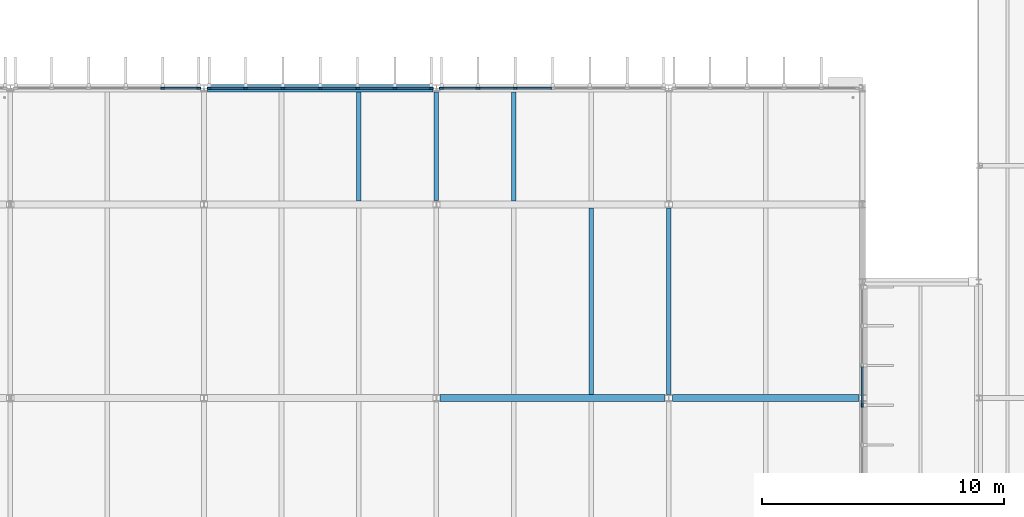
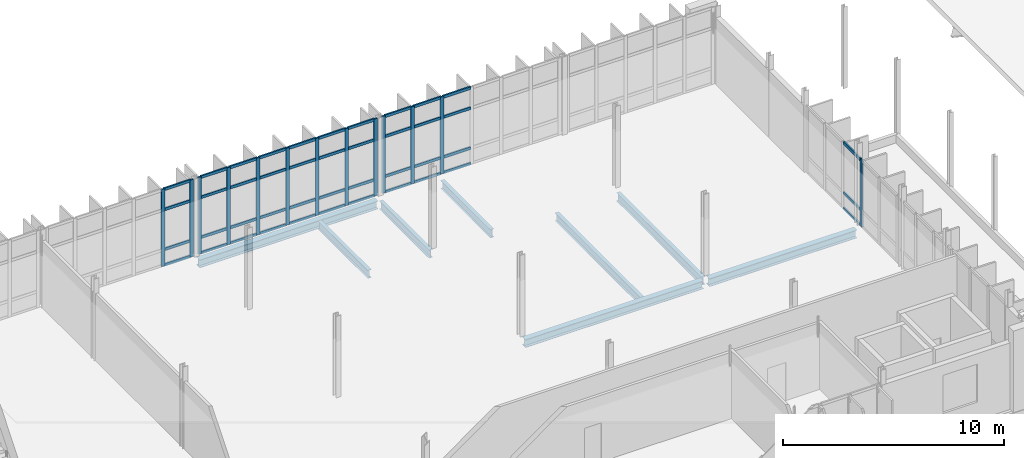
# One storey, part 32 of 93: 56 members, 8 beams, 4 elements without a shape of their own.
"""IFC4 building model written with IfcOpenShell, lengths in metres."""

from ifc_helpers import new_model, si_unit, direction, frame, origin, origin_2d, place, context, subcontext, project, spatial, rectangle, i_section, extrude, material, material_profile, profile_set, type_object, element, aggregate, save


model = new_model("IFC4")

# Units and contexts
model_context = context("Model", 3, precision=1e-05, world=origin(), true_north=direction((0.0, 1.0)))
body_context = subcontext(model_context, "Body", "Model", "MODEL_VIEW")
ifc_project = project(units=[si_unit("LENGTHUNIT", "METRE"), si_unit("AREAUNIT", "SQUARE_METRE"), si_unit("VOLUMEUNIT", "CUBIC_METRE"), si_unit("PLANEANGLEUNIT", "RADIAN"), si_unit("MASSUNIT", "GRAM", prefix="KILO")], contexts=[model_context])

# Site, building, storey
site_placement = place(None, origin())
site = spatial("IfcSite", under=ifc_project, at=site_placement, CompositionType="ELEMENT")
building_placement = place(site_placement, origin())
building = spatial("IfcBuilding", under=site, at=building_placement, Name="Dunescarp Central Library", CompositionType="ELEMENT")
storey_placement = place(building_placement, frame((0.0, 0.0, 14.10009765625)))
storey = spatial("IfcBuildingStorey", under=building, at=storey_placement, Name="L03", CompositionType="ELEMENT", Elevation=14.10009765625)

# Curtain wall, members
ifc_material_1 = material(Name="Marine-grade anodised aluminium 6063-T6", Category="aluminium")
curtain_wall_type = type_object("IfcCurtainWallType", Name="ARC-CW-STICK", PredefinedType="NOTDEFINED", material=ifc_material_1)
curtain_wall_1_placement = place(storey_placement, origin())
curtain_wall_1 = element("IfcCurtainWall", 1, at=curtain_wall_1_placement, inside=storey, type_object=curtain_wall_type, Name="L03 curtain wall CW-V3-103", PredefinedType="NOTDEFINED")
ifc_material_profile_1 = material_profile(ifc_material_1, rectangle(XDim=0.080078125, YDim=0.179931640625, at=origin_2d()), Name="AL 80x180")
ifc_profile_set_1 = profile_set([ifc_material_profile_1], Name="Marine-grade anodised aluminium 6063-T6")
member_type_1 = type_object("IfcMemberType", Name="ARC-CWM-180", PredefinedType="MULLION", material=ifc_profile_set_1)
member_1_placement = place(storey_placement, frame((95.89501953125, 33.60009765625, 0.0), z_axis=(0.0, 0.0, 1.0), x_axis=(0.0, 1.0, 0.0)))
member_1 = element("IfcMember", 2, at=member_1_placement, type_object=member_type_1, Name="CW-V3-103 mullion 5", PredefinedType="MULLION", context=body_context, shape_type="SweptSolid", body=[
    extrude(rectangle(XDim=0.080078125, YDim=0.179931640625, at=origin_2d()), origin(), (0.0, 0.0, 1.0), 4.25),
])
member_2_placement = place(storey_placement, frame((97.385009765625, 33.60009765625, 0.0), z_axis=(0.0, 0.0, 1.0), x_axis=(0.0, 1.0, 0.0)))
member_2 = element("IfcMember", 3, at=member_2_placement, type_object=member_type_1, Name="CW-V3-103 mullion 6", PredefinedType="MULLION", context=body_context, shape_type="SweptSolid", body=[
    extrude(rectangle(XDim=0.080078125, YDim=0.179931640625, at=origin_2d()), origin(), (0.0, 0.0, 1.0), 4.25),
])

curtain_wall_2_placement = place(storey_placement, origin())
curtain_wall_2 = element("IfcCurtainWall", 4, at=curtain_wall_2_placement, inside=storey, type_object=curtain_wall_type, Name="L03 curtain wall CW-V3-104", PredefinedType="NOTDEFINED")
member_3_placement = place(storey_placement, frame((97.81494140625, 33.60009765625, 0.0), z_axis=(0.0, 0.0, 1.0), x_axis=(0.0, 1.0, 0.0)))
member_3 = element("IfcMember", 5, at=member_3_placement, type_object=member_type_1, Name="CW-V3-104 mullion 1", PredefinedType="MULLION", context=body_context, shape_type="SweptSolid", body=[
    extrude(rectangle(XDim=0.080078125, YDim=0.179931640625, at=origin_2d()), origin(), (0.0, 0.0, 1.0), 4.25),
])
member_4_placement = place(storey_placement, frame((99.316650390625, 33.60009765625, 0.0), z_axis=(0.0, 0.0, 1.0), x_axis=(0.0, 1.0, 0.0)))
member_4 = element("IfcMember", 6, at=member_4_placement, type_object=member_type_1, Name="CW-V3-104 mullion 2", PredefinedType="MULLION", context=body_context, shape_type="SweptSolid", body=[
    extrude(rectangle(XDim=0.080078125, YDim=0.179931640625, at=origin_2d()), origin(), (0.0, 0.0, 1.0), 4.25),
])
member_5_placement = place(storey_placement, frame((100.8583984375, 33.60009765625, 0.0), z_axis=(0.0, 0.0, 1.0), x_axis=(0.0, 1.0, 0.0)))
member_5 = element("IfcMember", 7, at=member_5_placement, type_object=member_type_1, Name="CW-V3-104 mullion 3", PredefinedType="MULLION", context=body_context, shape_type="SweptSolid", body=[
    extrude(rectangle(XDim=0.080078125, YDim=0.179931640625, at=origin_2d()), origin(), (0.0, 0.0, 1.0), 4.25),
])
member_6_placement = place(storey_placement, frame((102.39990234375, 33.60009765625, 0.0), z_axis=(0.0, 0.0, 1.0), x_axis=(0.0, 1.0, 0.0)))
member_6 = element("IfcMember", 8, at=member_6_placement, type_object=member_type_1, Name="CW-V3-104 mullion 4", PredefinedType="MULLION", context=body_context, shape_type="SweptSolid", body=[
    extrude(rectangle(XDim=0.080078125, YDim=0.179931640625, at=origin_2d()), origin(), (0.0, 0.0, 1.0), 4.25),
])
member_7_placement = place(storey_placement, frame((103.941650390625, 33.60009765625, 0.0), z_axis=(0.0, 0.0, 1.0), x_axis=(0.0, 1.0, 0.0)))
member_7 = element("IfcMember", 9, at=member_7_placement, type_object=member_type_1, Name="CW-V3-104 mullion 5", PredefinedType="MULLION", context=body_context, shape_type="SweptSolid", body=[
    extrude(rectangle(XDim=0.080078125, YDim=0.179931640625, at=origin_2d()), origin(), (0.0, 0.0, 1.0), 4.25),
])
member_8_placement = place(storey_placement, frame((105.4833984375, 33.60009765625, 0.0), z_axis=(0.0, 0.0, 1.0), x_axis=(0.0, 1.0, 0.0)))
member_8 = element("IfcMember", 10, at=member_8_placement, type_object=member_type_1, Name="CW-V3-104 mullion 6", PredefinedType="MULLION", context=body_context, shape_type="SweptSolid", body=[
    extrude(rectangle(XDim=0.080078125, YDim=0.179931640625, at=origin_2d()), origin(), (0.0, 0.0, 1.0), 4.25),
])
member_9_placement = place(storey_placement, frame((106.985107421875, 33.60009765625, 0.0), z_axis=(0.0, 0.0, 1.0), x_axis=(0.0, 1.0, 0.0)))
member_9 = element("IfcMember", 11, at=member_9_placement, type_object=member_type_1, Name="CW-V3-104 mullion 7", PredefinedType="MULLION", context=body_context, shape_type="SweptSolid", body=[
    extrude(rectangle(XDim=0.080078125, YDim=0.179931640625, at=origin_2d()), origin(), (0.0, 0.0, 1.0), 4.25),
])

curtain_wall_3_placement = place(storey_placement, origin())
curtain_wall_3 = element("IfcCurtainWall", 12, at=curtain_wall_3_placement, inside=storey, type_object=curtain_wall_type, Name="L03 curtain wall CW-V3-105", PredefinedType="NOTDEFINED")
member_10_placement = place(storey_placement, frame((107.4150390625, 33.60009765625, 0.0), z_axis=(0.0, 0.0, 1.0), x_axis=(0.0, 1.0, 0.0)))
member_10 = element("IfcMember", 13, at=member_10_placement, type_object=member_type_1, Name="CW-V3-105 mullion 1", PredefinedType="MULLION", context=body_context, shape_type="SweptSolid", body=[
    extrude(rectangle(XDim=0.080078125, YDim=0.179931640625, at=origin_2d()), origin(), (0.0, 0.0, 1.0), 4.25),
])
member_11_placement = place(storey_placement, frame((108.916748046875, 33.60009765625, 0.0), z_axis=(0.0, 0.0, 1.0), x_axis=(0.0, 1.0, 0.0)))
member_11 = element("IfcMember", 14, at=member_11_placement, type_object=member_type_1, Name="CW-V3-105 mullion 2", PredefinedType="MULLION", context=body_context, shape_type="SweptSolid", body=[
    extrude(rectangle(XDim=0.080078125, YDim=0.179931640625, at=origin_2d()), origin(), (0.0, 0.0, 1.0), 4.25),
])
member_12_placement = place(storey_placement, frame((110.458251953125, 33.60009765625, 0.0), z_axis=(0.0, 0.0, 1.0), x_axis=(0.0, 1.0, 0.0)))
member_12 = element("IfcMember", 15, at=member_12_placement, type_object=member_type_1, Name="CW-V3-105 mullion 3", PredefinedType="MULLION", context=body_context, shape_type="SweptSolid", body=[
    extrude(rectangle(XDim=0.080078125, YDim=0.179931640625, at=origin_2d()), origin(), (0.0, 0.0, 1.0), 4.25),
])

# Curtain wall, member
curtain_wall_4_placement = place(storey_placement, origin())
curtain_wall_4 = element("IfcCurtainWall", 16, at=curtain_wall_4_placement, inside=storey, type_object=curtain_wall_type, Name="L03 curtain wall CW-V3-107", PredefinedType="NOTDEFINED")
member_13_placement = place(storey_placement, frame((124.800048828125, 20.502197265625, 0.0), z_axis=(0.0, 0.0, 1.0), x_axis=(1.0, 0.0, 0.0)))
member_13 = element("IfcMember", 17, at=member_13_placement, type_object=member_type_1, Name="CW-V3-107 mullion 4", PredefinedType="MULLION", context=body_context, shape_type="SweptSolid", body=[
    extrude(rectangle(XDim=0.080078125, YDim=0.179931640625, at=origin_2d()), origin(), (0.0, 0.0, 1.0), 3.685791015625),
])

# Member
ifc_material_profile_2 = material_profile(ifc_material_1, rectangle(XDim=0.080078125, YDim=0.14990234375, at=origin_2d()), Name="AL 80x150")
ifc_profile_set_2 = profile_set([ifc_material_profile_2], Name="Marine-grade anodised aluminium 6063-T6")
member_type_2 = type_object("IfcMemberType", Name="ARC-CWT-150", PredefinedType="USERDEFINED", material=ifc_profile_set_2)
member_14_placement = place(storey_placement, frame((95.93505859375, 33.60009765625, 0.039794921875), z_axis=(1.0, 0.0, 0.0), x_axis=(0.0, 1.0, 0.0)))
member_14 = element("IfcMember", 18, at=member_14_placement, type_object=member_type_2, Name="CW-V3-103 transom 5.1", ObjectType="TRANSOM", PredefinedType="USERDEFINED", context=body_context, shape_type="SweptSolid", body=[
    extrude(rectangle(XDim=0.080078125, YDim=0.14990234375, at=origin_2d()), origin(), (0.0, 0.0, 1.0), 1.409912109375),
])

member_15_placement = place(storey_placement, frame((95.93505859375, 33.60009765625, 0.89990234375), z_axis=(1.0, 0.0, 0.0), x_axis=(0.0, 1.0, 0.0)))
member_15 = element("IfcMember", 19, at=member_15_placement, type_object=member_type_2, Name="CW-V3-103 transom 5.2", ObjectType="TRANSOM", PredefinedType="USERDEFINED", context=body_context, shape_type="SweptSolid", body=[
    extrude(rectangle(XDim=0.080078125, YDim=0.14990234375, at=origin_2d()), origin(), (0.0, 0.0, 1.0), 1.409912109375),
])

member_16_placement = place(storey_placement, frame((95.93505859375, 33.60009765625, 3.099853515625), z_axis=(1.0, 0.0, 0.0), x_axis=(0.0, 1.0, 0.0)))
member_16 = element("IfcMember", 20, at=member_16_placement, type_object=member_type_2, Name="CW-V3-103 transom 5.3", ObjectType="TRANSOM", PredefinedType="USERDEFINED", context=body_context, shape_type="SweptSolid", body=[
    extrude(rectangle(XDim=0.080078125, YDim=0.14990234375, at=origin_2d()), origin(), (0.0, 0.0, 1.0), 1.409912109375),
])

member_17_placement = place(storey_placement, frame((95.93505859375, 33.60009765625, 4.2099609375), z_axis=(1.0, 0.0, 0.0), x_axis=(0.0, 1.0, 0.0)))
member_17 = element("IfcMember", 21, at=member_17_placement, type_object=member_type_2, Name="CW-V3-103 transom 5.4", ObjectType="TRANSOM", PredefinedType="USERDEFINED", context=body_context, shape_type="SweptSolid", body=[
    extrude(rectangle(XDim=0.080078125, YDim=0.14990234375, at=origin_2d()), origin(), (0.0, 0.0, 1.0), 1.409912109375),
])

aggregate(curtain_wall_1, [member_1, member_2, member_14, member_15, member_16, member_17])

member_18_placement = place(storey_placement, frame((97.85498046875, 33.60009765625, 0.039794921875), z_axis=(1.0, 0.0, 0.0), x_axis=(0.0, 1.0, 0.0)))
member_18 = element("IfcMember", 22, at=member_18_placement, type_object=member_type_2, Name="CW-V3-104 transom 1.1", ObjectType="TRANSOM", PredefinedType="USERDEFINED", context=body_context, shape_type="SweptSolid", body=[
    extrude(rectangle(XDim=0.080078125, YDim=0.14990234375, at=origin_2d()), origin(), (0.0, 0.0, 1.0), 1.421630859375),
])

member_19_placement = place(storey_placement, frame((97.85498046875, 33.60009765625, 0.89990234375), z_axis=(1.0, 0.0, 0.0), x_axis=(0.0, 1.0, 0.0)))
member_19 = element("IfcMember", 23, at=member_19_placement, type_object=member_type_2, Name="CW-V3-104 transom 1.2", ObjectType="TRANSOM", PredefinedType="USERDEFINED", context=body_context, shape_type="SweptSolid", body=[
    extrude(rectangle(XDim=0.080078125, YDim=0.14990234375, at=origin_2d()), origin(), (0.0, 0.0, 1.0), 1.421630859375),
])

member_20_placement = place(storey_placement, frame((97.85498046875, 33.60009765625, 3.099853515625), z_axis=(1.0, 0.0, 0.0), x_axis=(0.0, 1.0, 0.0)))
member_20 = element("IfcMember", 24, at=member_20_placement, type_object=member_type_2, Name="CW-V3-104 transom 1.3", ObjectType="TRANSOM", PredefinedType="USERDEFINED", context=body_context, shape_type="SweptSolid", body=[
    extrude(rectangle(XDim=0.080078125, YDim=0.14990234375, at=origin_2d()), origin(), (0.0, 0.0, 1.0), 1.421630859375),
])

member_21_placement = place(storey_placement, frame((97.85498046875, 33.60009765625, 4.2099609375), z_axis=(1.0, 0.0, 0.0), x_axis=(0.0, 1.0, 0.0)))
member_21 = element("IfcMember", 25, at=member_21_placement, type_object=member_type_2, Name="CW-V3-104 transom 1.4", ObjectType="TRANSOM", PredefinedType="USERDEFINED", context=body_context, shape_type="SweptSolid", body=[
    extrude(rectangle(XDim=0.080078125, YDim=0.14990234375, at=origin_2d()), origin(), (0.0, 0.0, 1.0), 1.421630859375),
])

member_22_placement = place(storey_placement, frame((99.356689453125, 33.60009765625, 0.039794921875), z_axis=(1.0, 0.0, 0.0), x_axis=(0.0, 1.0, 0.0)))
member_22 = element("IfcMember", 26, at=member_22_placement, type_object=member_type_2, Name="CW-V3-104 transom 2.1", ObjectType="TRANSOM", PredefinedType="USERDEFINED", context=body_context, shape_type="SweptSolid", body=[
    extrude(rectangle(XDim=0.080078125, YDim=0.14990234375, at=origin_2d()), origin(), (0.0, 0.0, 1.0), 1.461669921875),
])

member_23_placement = place(storey_placement, frame((99.356689453125, 33.60009765625, 0.89990234375), z_axis=(1.0, 0.0, 0.0), x_axis=(0.0, 1.0, 0.0)))
member_23 = element("IfcMember", 27, at=member_23_placement, type_object=member_type_2, Name="CW-V3-104 transom 2.2", ObjectType="TRANSOM", PredefinedType="USERDEFINED", context=body_context, shape_type="SweptSolid", body=[
    extrude(rectangle(XDim=0.080078125, YDim=0.14990234375, at=origin_2d()), origin(), (0.0, 0.0, 1.0), 1.461669921875),
])

member_24_placement = place(storey_placement, frame((99.356689453125, 33.60009765625, 3.099853515625), z_axis=(1.0, 0.0, 0.0), x_axis=(0.0, 1.0, 0.0)))
member_24 = element("IfcMember", 28, at=member_24_placement, type_object=member_type_2, Name="CW-V3-104 transom 2.3", ObjectType="TRANSOM", PredefinedType="USERDEFINED", context=body_context, shape_type="SweptSolid", body=[
    extrude(rectangle(XDim=0.080078125, YDim=0.14990234375, at=origin_2d()), origin(), (0.0, 0.0, 1.0), 1.461669921875),
])

member_25_placement = place(storey_placement, frame((99.356689453125, 33.60009765625, 4.2099609375), z_axis=(1.0, 0.0, 0.0), x_axis=(0.0, 1.0, 0.0)))
member_25 = element("IfcMember", 29, at=member_25_placement, type_object=member_type_2, Name="CW-V3-104 transom 2.4", ObjectType="TRANSOM", PredefinedType="USERDEFINED", context=body_context, shape_type="SweptSolid", body=[
    extrude(rectangle(XDim=0.080078125, YDim=0.14990234375, at=origin_2d()), origin(), (0.0, 0.0, 1.0), 1.461669921875),
])

member_26_placement = place(storey_placement, frame((100.8984375, 33.60009765625, 0.039794921875), z_axis=(1.0, 0.0, 0.0), x_axis=(0.0, 1.0, 0.0)))
member_26 = element("IfcMember", 30, at=member_26_placement, type_object=member_type_2, Name="CW-V3-104 transom 3.1", ObjectType="TRANSOM", PredefinedType="USERDEFINED", context=body_context, shape_type="SweptSolid", body=[
    extrude(rectangle(XDim=0.080078125, YDim=0.14990234375, at=origin_2d()), origin(), (0.0, 0.0, 1.0), 1.461669921875),
])

member_27_placement = place(storey_placement, frame((100.8984375, 33.60009765625, 0.89990234375), z_axis=(1.0, 0.0, 0.0), x_axis=(0.0, 1.0, 0.0)))
member_27 = element("IfcMember", 31, at=member_27_placement, type_object=member_type_2, Name="CW-V3-104 transom 3.2", ObjectType="TRANSOM", PredefinedType="USERDEFINED", context=body_context, shape_type="SweptSolid", body=[
    extrude(rectangle(XDim=0.080078125, YDim=0.14990234375, at=origin_2d()), origin(), (0.0, 0.0, 1.0), 1.461669921875),
])

member_28_placement = place(storey_placement, frame((100.8984375, 33.60009765625, 3.099853515625), z_axis=(1.0, 0.0, 0.0), x_axis=(0.0, 1.0, 0.0)))
member_28 = element("IfcMember", 32, at=member_28_placement, type_object=member_type_2, Name="CW-V3-104 transom 3.3", ObjectType="TRANSOM", PredefinedType="USERDEFINED", context=body_context, shape_type="SweptSolid", body=[
    extrude(rectangle(XDim=0.080078125, YDim=0.14990234375, at=origin_2d()), origin(), (0.0, 0.0, 1.0), 1.461669921875),
])

member_29_placement = place(storey_placement, frame((100.8984375, 33.60009765625, 4.2099609375), z_axis=(1.0, 0.0, 0.0), x_axis=(0.0, 1.0, 0.0)))
member_29 = element("IfcMember", 33, at=member_29_placement, type_object=member_type_2, Name="CW-V3-104 transom 3.4", ObjectType="TRANSOM", PredefinedType="USERDEFINED", context=body_context, shape_type="SweptSolid", body=[
    extrude(rectangle(XDim=0.080078125, YDim=0.14990234375, at=origin_2d()), origin(), (0.0, 0.0, 1.0), 1.461669921875),
])

member_30_placement = place(storey_placement, frame((102.43994140625, 33.60009765625, 0.039794921875), z_axis=(1.0, 0.0, 0.0), x_axis=(0.0, 1.0, 0.0)))
member_30 = element("IfcMember", 34, at=member_30_placement, type_object=member_type_2, Name="CW-V3-104 transom 4.1", ObjectType="TRANSOM", PredefinedType="USERDEFINED", context=body_context, shape_type="SweptSolid", body=[
    extrude(rectangle(XDim=0.080078125, YDim=0.14990234375, at=origin_2d()), origin(), (0.0, 0.0, 1.0), 1.461669921875),
])

member_31_placement = place(storey_placement, frame((102.43994140625, 33.60009765625, 0.89990234375), z_axis=(1.0, 0.0, 0.0), x_axis=(0.0, 1.0, 0.0)))
member_31 = element("IfcMember", 35, at=member_31_placement, type_object=member_type_2, Name="CW-V3-104 transom 4.2", ObjectType="TRANSOM", PredefinedType="USERDEFINED", context=body_context, shape_type="SweptSolid", body=[
    extrude(rectangle(XDim=0.080078125, YDim=0.14990234375, at=origin_2d()), origin(), (0.0, 0.0, 1.0), 1.461669921875),
])

member_32_placement = place(storey_placement, frame((102.43994140625, 33.60009765625, 3.099853515625), z_axis=(1.0, 0.0, 0.0), x_axis=(0.0, 1.0, 0.0)))
member_32 = element("IfcMember", 36, at=member_32_placement, type_object=member_type_2, Name="CW-V3-104 transom 4.3", ObjectType="TRANSOM", PredefinedType="USERDEFINED", context=body_context, shape_type="SweptSolid", body=[
    extrude(rectangle(XDim=0.080078125, YDim=0.14990234375, at=origin_2d()), origin(), (0.0, 0.0, 1.0), 1.461669921875),
])

member_33_placement = place(storey_placement, frame((102.43994140625, 33.60009765625, 4.2099609375), z_axis=(1.0, 0.0, 0.0), x_axis=(0.0, 1.0, 0.0)))
member_33 = element("IfcMember", 37, at=member_33_placement, type_object=member_type_2, Name="CW-V3-104 transom 4.4", ObjectType="TRANSOM", PredefinedType="USERDEFINED", context=body_context, shape_type="SweptSolid", body=[
    extrude(rectangle(XDim=0.080078125, YDim=0.14990234375, at=origin_2d()), origin(), (0.0, 0.0, 1.0), 1.461669921875),
])

member_34_placement = place(storey_placement, frame((103.981689453125, 33.60009765625, 0.039794921875), z_axis=(1.0, 0.0, 0.0), x_axis=(0.0, 1.0, 0.0)))
member_34 = element("IfcMember", 38, at=member_34_placement, type_object=member_type_2, Name="CW-V3-104 transom 5.1", ObjectType="TRANSOM", PredefinedType="USERDEFINED", context=body_context, shape_type="SweptSolid", body=[
    extrude(rectangle(XDim=0.080078125, YDim=0.14990234375, at=origin_2d()), origin(), (0.0, 0.0, 1.0), 1.461669921875),
])

member_35_placement = place(storey_placement, frame((103.981689453125, 33.60009765625, 0.89990234375), z_axis=(1.0, 0.0, 0.0), x_axis=(0.0, 1.0, 0.0)))
member_35 = element("IfcMember", 39, at=member_35_placement, type_object=member_type_2, Name="CW-V3-104 transom 5.2", ObjectType="TRANSOM", PredefinedType="USERDEFINED", context=body_context, shape_type="SweptSolid", body=[
    extrude(rectangle(XDim=0.080078125, YDim=0.14990234375, at=origin_2d()), origin(), (0.0, 0.0, 1.0), 1.461669921875),
])

member_36_placement = place(storey_placement, frame((103.981689453125, 33.60009765625, 3.099853515625), z_axis=(1.0, 0.0, 0.0), x_axis=(0.0, 1.0, 0.0)))
member_36 = element("IfcMember", 40, at=member_36_placement, type_object=member_type_2, Name="CW-V3-104 transom 5.3", ObjectType="TRANSOM", PredefinedType="USERDEFINED", context=body_context, shape_type="SweptSolid", body=[
    extrude(rectangle(XDim=0.080078125, YDim=0.14990234375, at=origin_2d()), origin(), (0.0, 0.0, 1.0), 1.461669921875),
])

member_37_placement = place(storey_placement, frame((103.981689453125, 33.60009765625, 4.2099609375), z_axis=(1.0, 0.0, 0.0), x_axis=(0.0, 1.0, 0.0)))
member_37 = element("IfcMember", 41, at=member_37_placement, type_object=member_type_2, Name="CW-V3-104 transom 5.4", ObjectType="TRANSOM", PredefinedType="USERDEFINED", context=body_context, shape_type="SweptSolid", body=[
    extrude(rectangle(XDim=0.080078125, YDim=0.14990234375, at=origin_2d()), origin(), (0.0, 0.0, 1.0), 1.461669921875),
])

member_38_placement = place(storey_placement, frame((105.5234375, 33.60009765625, 0.039794921875), z_axis=(1.0, 0.0, 0.0), x_axis=(0.0, 1.0, 0.0)))
member_38 = element("IfcMember", 42, at=member_38_placement, type_object=member_type_2, Name="CW-V3-104 transom 6.1", ObjectType="TRANSOM", PredefinedType="USERDEFINED", context=body_context, shape_type="SweptSolid", body=[
    extrude(rectangle(XDim=0.080078125, YDim=0.14990234375, at=origin_2d()), origin(), (0.0, 0.0, 1.0), 1.421630859375),
])

member_39_placement = place(storey_placement, frame((105.5234375, 33.60009765625, 0.89990234375), z_axis=(1.0, 0.0, 0.0), x_axis=(0.0, 1.0, 0.0)))
member_39 = element("IfcMember", 43, at=member_39_placement, type_object=member_type_2, Name="CW-V3-104 transom 6.2", ObjectType="TRANSOM", PredefinedType="USERDEFINED", context=body_context, shape_type="SweptSolid", body=[
    extrude(rectangle(XDim=0.080078125, YDim=0.14990234375, at=origin_2d()), origin(), (0.0, 0.0, 1.0), 1.421630859375),
])

member_40_placement = place(storey_placement, frame((105.5234375, 33.60009765625, 3.099853515625), z_axis=(1.0, 0.0, 0.0), x_axis=(0.0, 1.0, 0.0)))
member_40 = element("IfcMember", 44, at=member_40_placement, type_object=member_type_2, Name="CW-V3-104 transom 6.3", ObjectType="TRANSOM", PredefinedType="USERDEFINED", context=body_context, shape_type="SweptSolid", body=[
    extrude(rectangle(XDim=0.080078125, YDim=0.14990234375, at=origin_2d()), origin(), (0.0, 0.0, 1.0), 1.421630859375),
])

member_41_placement = place(storey_placement, frame((105.5234375, 33.60009765625, 4.2099609375), z_axis=(1.0, 0.0, 0.0), x_axis=(0.0, 1.0, 0.0)))
member_41 = element("IfcMember", 45, at=member_41_placement, type_object=member_type_2, Name="CW-V3-104 transom 6.4", ObjectType="TRANSOM", PredefinedType="USERDEFINED", context=body_context, shape_type="SweptSolid", body=[
    extrude(rectangle(XDim=0.080078125, YDim=0.14990234375, at=origin_2d()), origin(), (0.0, 0.0, 1.0), 1.421630859375),
])

aggregate(curtain_wall_2, [member_3, member_4, member_5, member_6, member_7, member_8, member_9, member_18, member_19, member_20, member_21, member_22, member_23, member_24, member_25, member_26, member_27, member_28, member_29, member_30, member_31, member_32, member_33, member_34, member_35, member_36, member_37, member_38, member_39, member_40, member_41])

member_42_placement = place(storey_placement, frame((107.455078125, 33.60009765625, 0.039794921875), z_axis=(1.0, 0.0, 0.0), x_axis=(0.0, 1.0, 0.0)))
member_42 = element("IfcMember", 46, at=member_42_placement, type_object=member_type_2, Name="CW-V3-105 transom 1.1", ObjectType="TRANSOM", PredefinedType="USERDEFINED", context=body_context, shape_type="SweptSolid", body=[
    extrude(rectangle(XDim=0.080078125, YDim=0.14990234375, at=origin_2d()), origin(), (0.0, 0.0, 1.0), 1.421630859375),
])

member_43_placement = place(storey_placement, frame((107.455078125, 33.60009765625, 0.89990234375), z_axis=(1.0, 0.0, 0.0), x_axis=(0.0, 1.0, 0.0)))
member_43 = element("IfcMember", 47, at=member_43_placement, type_object=member_type_2, Name="CW-V3-105 transom 1.2", ObjectType="TRANSOM", PredefinedType="USERDEFINED", context=body_context, shape_type="SweptSolid", body=[
    extrude(rectangle(XDim=0.080078125, YDim=0.14990234375, at=origin_2d()), origin(), (0.0, 0.0, 1.0), 1.421630859375),
])

member_44_placement = place(storey_placement, frame((107.455078125, 33.60009765625, 3.099853515625), z_axis=(1.0, 0.0, 0.0), x_axis=(0.0, 1.0, 0.0)))
member_44 = element("IfcMember", 48, at=member_44_placement, type_object=member_type_2, Name="CW-V3-105 transom 1.3", ObjectType="TRANSOM", PredefinedType="USERDEFINED", context=body_context, shape_type="SweptSolid", body=[
    extrude(rectangle(XDim=0.080078125, YDim=0.14990234375, at=origin_2d()), origin(), (0.0, 0.0, 1.0), 1.421630859375),
])

member_45_placement = place(storey_placement, frame((107.455078125, 33.60009765625, 4.2099609375), z_axis=(1.0, 0.0, 0.0), x_axis=(0.0, 1.0, 0.0)))
member_45 = element("IfcMember", 49, at=member_45_placement, type_object=member_type_2, Name="CW-V3-105 transom 1.4", ObjectType="TRANSOM", PredefinedType="USERDEFINED", context=body_context, shape_type="SweptSolid", body=[
    extrude(rectangle(XDim=0.080078125, YDim=0.14990234375, at=origin_2d()), origin(), (0.0, 0.0, 1.0), 1.421630859375),
])

member_46_placement = place(storey_placement, frame((108.956787109375, 33.60009765625, 0.039794921875), z_axis=(1.0, 0.0, 0.0), x_axis=(0.0, 1.0, 0.0)))
member_46 = element("IfcMember", 50, at=member_46_placement, type_object=member_type_2, Name="CW-V3-105 transom 2.1", ObjectType="TRANSOM", PredefinedType="USERDEFINED", context=body_context, shape_type="SweptSolid", body=[
    extrude(rectangle(XDim=0.080078125, YDim=0.14990234375, at=origin_2d()), origin(), (0.0, 0.0, 1.0), 1.46142578125),
])

member_47_placement = place(storey_placement, frame((108.956787109375, 33.60009765625, 0.89990234375), z_axis=(1.0, 0.0, 0.0), x_axis=(0.0, 1.0, 0.0)))
member_47 = element("IfcMember", 51, at=member_47_placement, type_object=member_type_2, Name="CW-V3-105 transom 2.2", ObjectType="TRANSOM", PredefinedType="USERDEFINED", context=body_context, shape_type="SweptSolid", body=[
    extrude(rectangle(XDim=0.080078125, YDim=0.14990234375, at=origin_2d()), origin(), (0.0, 0.0, 1.0), 1.46142578125),
])

member_48_placement = place(storey_placement, frame((108.956787109375, 33.60009765625, 3.099853515625), z_axis=(1.0, 0.0, 0.0), x_axis=(0.0, 1.0, 0.0)))
member_48 = element("IfcMember", 52, at=member_48_placement, type_object=member_type_2, Name="CW-V3-105 transom 2.3", ObjectType="TRANSOM", PredefinedType="USERDEFINED", context=body_context, shape_type="SweptSolid", body=[
    extrude(rectangle(XDim=0.080078125, YDim=0.14990234375, at=origin_2d()), origin(), (0.0, 0.0, 1.0), 1.46142578125),
])

member_49_placement = place(storey_placement, frame((108.956787109375, 33.60009765625, 4.2099609375), z_axis=(1.0, 0.0, 0.0), x_axis=(0.0, 1.0, 0.0)))
member_49 = element("IfcMember", 53, at=member_49_placement, type_object=member_type_2, Name="CW-V3-105 transom 2.4", ObjectType="TRANSOM", PredefinedType="USERDEFINED", context=body_context, shape_type="SweptSolid", body=[
    extrude(rectangle(XDim=0.080078125, YDim=0.14990234375, at=origin_2d()), origin(), (0.0, 0.0, 1.0), 1.46142578125),
])

member_50_placement = place(storey_placement, frame((110.498291015625, 33.60009765625, 0.039794921875), z_axis=(1.0, 0.0, 0.0), x_axis=(0.0, 1.0, 0.0)))
member_50 = element("IfcMember", 54, at=member_50_placement, type_object=member_type_2, Name="CW-V3-105 transom 3.1", ObjectType="TRANSOM", PredefinedType="USERDEFINED", context=body_context, shape_type="SweptSolid", body=[
    extrude(rectangle(XDim=0.080078125, YDim=0.14990234375, at=origin_2d()), origin(), (0.0, 0.0, 1.0), 1.461669921875),
])

member_51_placement = place(storey_placement, frame((110.498291015625, 33.60009765625, 0.89990234375), z_axis=(1.0, 0.0, 0.0), x_axis=(0.0, 1.0, 0.0)))
member_51 = element("IfcMember", 55, at=member_51_placement, type_object=member_type_2, Name="CW-V3-105 transom 3.2", ObjectType="TRANSOM", PredefinedType="USERDEFINED", context=body_context, shape_type="SweptSolid", body=[
    extrude(rectangle(XDim=0.080078125, YDim=0.14990234375, at=origin_2d()), origin(), (0.0, 0.0, 1.0), 1.461669921875),
])

member_52_placement = place(storey_placement, frame((110.498291015625, 33.60009765625, 3.099853515625), z_axis=(1.0, 0.0, 0.0), x_axis=(0.0, 1.0, 0.0)))
member_52 = element("IfcMember", 56, at=member_52_placement, type_object=member_type_2, Name="CW-V3-105 transom 3.3", ObjectType="TRANSOM", PredefinedType="USERDEFINED", context=body_context, shape_type="SweptSolid", body=[
    extrude(rectangle(XDim=0.080078125, YDim=0.14990234375, at=origin_2d()), origin(), (0.0, 0.0, 1.0), 1.461669921875),
])

member_53_placement = place(storey_placement, frame((110.498291015625, 33.60009765625, 4.2099609375), z_axis=(1.0, 0.0, 0.0), x_axis=(0.0, 1.0, 0.0)))
member_53 = element("IfcMember", 57, at=member_53_placement, type_object=member_type_2, Name="CW-V3-105 transom 3.4", ObjectType="TRANSOM", PredefinedType="USERDEFINED", context=body_context, shape_type="SweptSolid", body=[
    extrude(rectangle(XDim=0.080078125, YDim=0.14990234375, at=origin_2d()), origin(), (0.0, 0.0, 1.0), 1.461669921875),
])

aggregate(curtain_wall_3, [member_10, member_11, member_12, member_42, member_43, member_44, member_45, member_46, member_47, member_48, member_49, member_50, member_51, member_52, member_53])

member_54_placement = place(storey_placement, frame((124.800048828125, 22.103271484375, 0.039794921875), z_axis=(0.0, -1.0, 0.0), x_axis=(1.0, 0.0, 0.0)))
member_54 = element("IfcMember", 58, at=member_54_placement, type_object=member_type_2, Name="CW-V3-107 transom 3.1", ObjectType="TRANSOM", PredefinedType="USERDEFINED", context=body_context, shape_type="SweptSolid", body=[
    extrude(rectangle(XDim=0.080078125, YDim=0.14990234375, at=origin_2d()), origin(), (0.0, 0.0, 1.0), 1.56103515625),
])

member_55_placement = place(storey_placement, frame((124.800048828125, 22.103271484375, 0.89990234375), z_axis=(0.0, -1.0, 0.0), x_axis=(1.0, 0.0, 0.0)))
member_55 = element("IfcMember", 59, at=member_55_placement, type_object=member_type_2, Name="CW-V3-107 transom 3.2", ObjectType="TRANSOM", PredefinedType="USERDEFINED", context=body_context, shape_type="SweptSolid", body=[
    extrude(rectangle(XDim=0.080078125, YDim=0.14990234375, at=origin_2d()), origin(), (0.0, 0.0, 1.0), 1.56103515625),
])

member_56_placement = place(storey_placement, frame((124.800048828125, 22.103271484375, 3.64599609375), z_axis=(0.0, -1.0, 0.0), x_axis=(1.0, 0.0, 0.0)))
member_56 = element("IfcMember", 60, at=member_56_placement, type_object=member_type_2, Name="CW-V3-107 transom 3.3", ObjectType="TRANSOM", PredefinedType="USERDEFINED", context=body_context, shape_type="SweptSolid", body=[
    extrude(rectangle(XDim=0.080078125, YDim=0.14990234375, at=origin_2d()), origin(), (0.0, 0.0, 1.0), 1.56103515625),
])

aggregate(curtain_wall_4, [member_13, member_54, member_55, member_56])

# Beams
ifc_material_2 = material(Name="Steel S355JR", Category="steel")
ifc_material_profile_3 = material_profile(ifc_material_2, i_section(OverallWidth=0.300048828125, OverallDepth=0.43994140625, WebThickness=0.011474609375, FlangeThickness=0.02099609375, at=origin_2d()), Name="HEA 450")
ifc_profile_set_3 = profile_set([ifc_material_profile_3], Name="Steel S355JR")
beam_type_1 = type_object("IfcBeamType", Name="STR-BM-HEA450", PredefinedType="BEAM", material=ifc_profile_set_3)
beam_1_placement = place(storey_placement, frame((97.7509765625, 33.60009765625, -0.460205078125), z_axis=(1.0, 0.0, 0.0), x_axis=(0.0, 1.0, 0.0)))
element("IfcBeam", 61, at=beam_1_placement, inside=storey, type_object=beam_type_1, Name="L03 girder BM-L03-0852", PredefinedType="BEAM", context=body_context, shape_type="SweptSolid", body=[
    extrude(i_section(OverallWidth=0.300048828125, OverallDepth=0.43994140625, WebThickness=0.011474609375, FlangeThickness=0.02099609375, at=origin_2d()), origin(), (0.0, 0.0, 1.0), 9.298095703125),
])
beam_2_placement = place(storey_placement, frame((107.35107421875, 20.800048828125, -0.460205078125), z_axis=(1.0, 0.0, 0.0), x_axis=(0.0, 1.0, 0.0)))
element("IfcBeam", 62, at=beam_2_placement, inside=storey, type_object=beam_type_1, Name="L03 girder BM-L03-0861", PredefinedType="BEAM", context=body_context, shape_type="SweptSolid", body=[
    extrude(i_section(OverallWidth=0.300048828125, OverallDepth=0.43994140625, WebThickness=0.011474609375, FlangeThickness=0.02099609375, at=origin_2d()), origin(), (0.0, 0.0, 1.0), 9.2978515625),
])
beam_3_placement = place(storey_placement, frame((116.950927734375, 20.800048828125, -0.460205078125), z_axis=(1.0, 0.0, 0.0), x_axis=(0.0, 1.0, 0.0)))
element("IfcBeam", 63, at=beam_3_placement, inside=storey, type_object=beam_type_1, Name="L03 girder BM-L03-0877", PredefinedType="BEAM", context=body_context, shape_type="SweptSolid", body=[
    extrude(i_section(OverallWidth=0.300048828125, OverallDepth=0.43994140625, WebThickness=0.011474609375, FlangeThickness=0.02099609375, at=origin_2d()), origin(), (0.0, 0.0, 1.0), 7.697998046875),
])
ifc_material_profile_4 = material_profile(ifc_material_2, i_section(OverallWidth=0.19140625, OverallDepth=0.4599609375, WebThickness=0.010009765625, FlangeThickness=0.01611328125, at=origin_2d()), Name="UB 457x191x82")
ifc_profile_set_4 = profile_set([ifc_material_profile_4], Name="Steel S355JR")
beam_type_2 = type_object("IfcBeamType", Name="STR-BM-UB457X82", PredefinedType="BEAM", material=ifc_profile_set_4)
beam_4_placement = place(storey_placement, frame((107.199951171875, 28.9541015625, -0.47021484375), z_axis=(0.0, 1.0, 0.0), x_axis=(-1.0, 0.0, 0.0)))
element("IfcBeam", 64, at=beam_4_placement, inside=storey, type_object=beam_type_2, Name="L03 girder BM-L03-0853", PredefinedType="BEAM", context=body_context, shape_type="SweptSolid", body=[
    extrude(i_section(OverallWidth=0.19140625, OverallDepth=0.4599609375, WebThickness=0.010009765625, FlangeThickness=0.01611328125, at=origin_2d()), origin(), (0.0, 0.0, 1.0), 4.491943359375),
])
beam_5_placement = place(storey_placement, frame((116.800048828125, 20.9541015625, -0.47021484375), z_axis=(0.0, 1.0, 0.0), x_axis=(-1.0, 0.0, 0.0)))
element("IfcBeam", 65, at=beam_5_placement, inside=storey, type_object=beam_type_2, Name="L03 girder BM-L03-0866", PredefinedType="BEAM", context=body_context, shape_type="SweptSolid", body=[
    extrude(i_section(OverallWidth=0.19140625, OverallDepth=0.4599609375, WebThickness=0.010009765625, FlangeThickness=0.01611328125, at=origin_2d()), origin(), (0.0, 0.0, 1.0), 7.69189453125),
])
ifc_material_profile_5 = material_profile(ifc_material_2, i_section(OverallWidth=0.18994140625, OverallDepth=0.449951171875, WebThickness=0.009521484375, FlangeThickness=0.0146484375, at=origin_2d()), Name="IPE 450")
ifc_profile_set_5 = profile_set([ifc_material_profile_5], Name="Steel S355JR")
beam_type_3 = type_object("IfcBeamType", Name="STR-JS-IPE450", PredefinedType="JOIST", material=ifc_profile_set_5)
beam_6_placement = place(storey_placement, frame((104.0, 28.947998046875, -0.465087890625), z_axis=(0.0, 1.0, 0.0), x_axis=(-1.0, 0.0, 0.0)))
element("IfcBeam", 66, at=beam_6_placement, inside=storey, type_object=beam_type_3, Name="L03 joist JS-L03-0855", PredefinedType="JOIST", context=body_context, shape_type="SweptSolid", body=[
    extrude(i_section(OverallWidth=0.18994140625, OverallDepth=0.449951171875, WebThickness=0.009521484375, FlangeThickness=0.0146484375, at=origin_2d()), origin(), (0.0, 0.0, 1.0), 4.50390625),
])
beam_7_placement = place(storey_placement, frame((113.60009765625, 20.947998046875, -0.465087890625), z_axis=(0.0, 1.0, 0.0), x_axis=(-1.0, 0.0, 0.0)))
element("IfcBeam", 67, at=beam_7_placement, inside=storey, type_object=beam_type_3, Name="L03 joist JS-L03-0868", PredefinedType="JOIST", context=body_context, shape_type="SweptSolid", body=[
    extrude(i_section(OverallWidth=0.18994140625, OverallDepth=0.449951171875, WebThickness=0.009521484375, FlangeThickness=0.0146484375, at=origin_2d()), origin(), (0.0, 0.0, 1.0), 7.7041015625),
])
beam_8_placement = place(storey_placement, frame((110.39990234375, 28.947998046875, -0.465087890625), z_axis=(0.0, 1.0, 0.0), x_axis=(-1.0, 0.0, 0.0)))
element("IfcBeam", 68, at=beam_8_placement, inside=storey, type_object=beam_type_3, Name="L03 joist JS-L03-0871", PredefinedType="JOIST", context=body_context, shape_type="SweptSolid", body=[
    extrude(i_section(OverallWidth=0.18994140625, OverallDepth=0.449951171875, WebThickness=0.009521484375, FlangeThickness=0.0146484375, at=origin_2d()), origin(), (0.0, 0.0, 1.0), 4.50390625),
])

save(model, "model.ifc")
